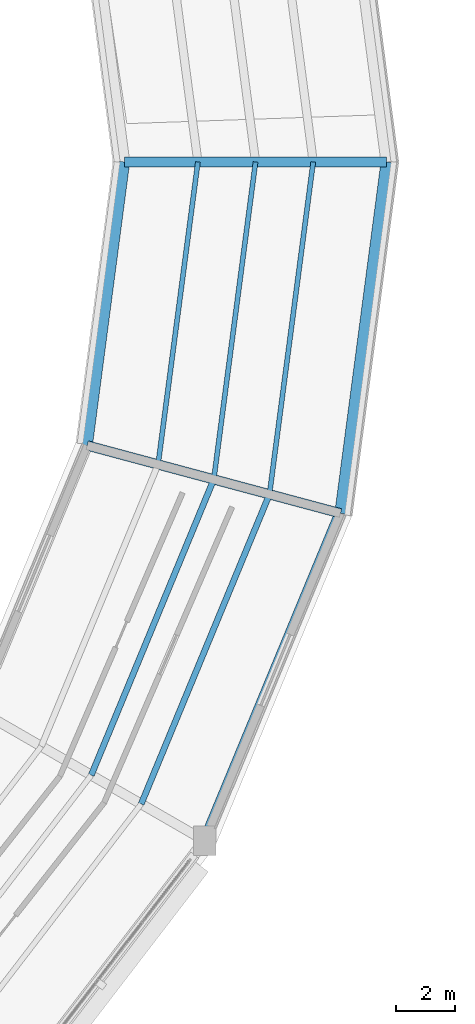
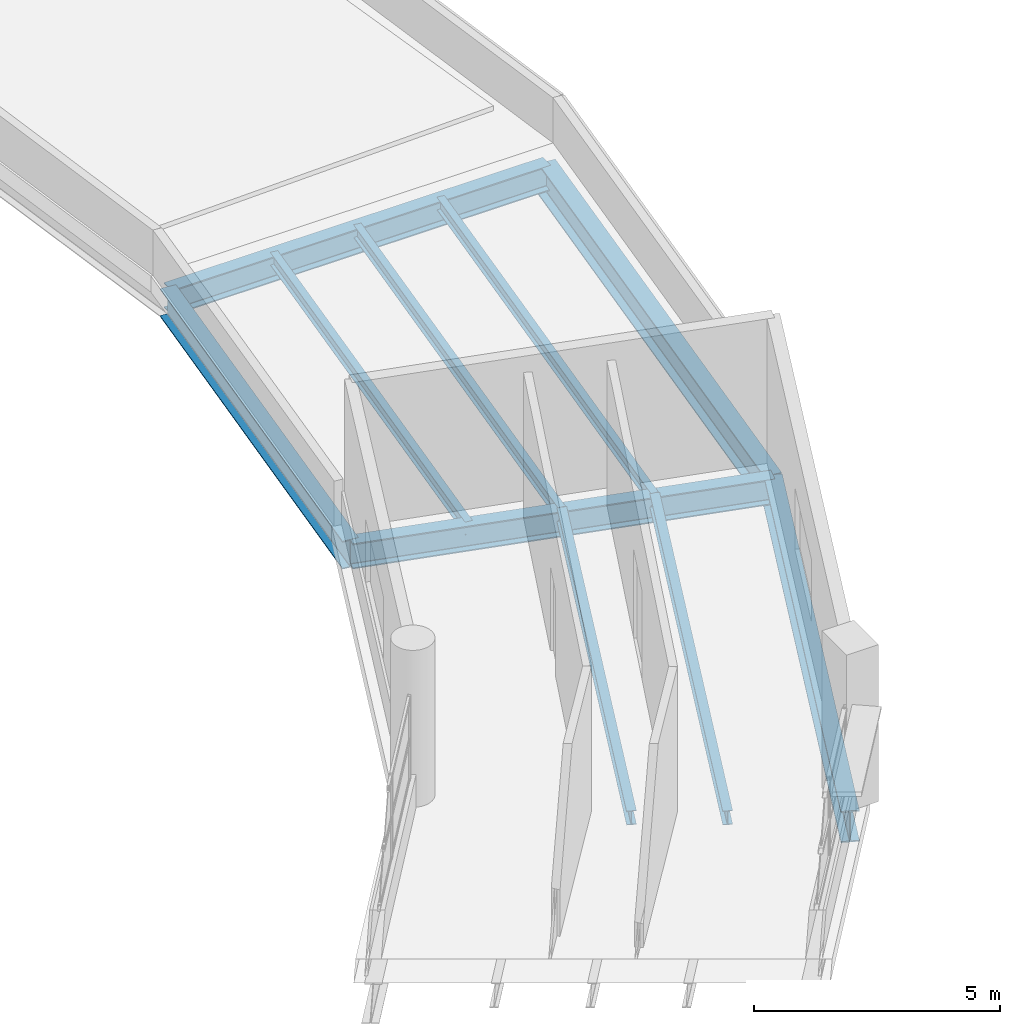
# One storey, part 54 of 108: 10 beams.
"""IFC4 building model written with IfcOpenShell, lengths in metres."""

from ifc_helpers import new_model, si_unit, direction, frame, origin, origin_2d, place, context, subcontext, project, spatial, i_section, extrude, material, material_profile, profile_set, type_object, element, save


model = new_model("IFC4")

# Units and contexts
model_context = context("Model", 3, precision=1e-05, world=origin(), true_north=direction((0.0, 1.0)))
body_context = subcontext(model_context, "Body", "Model", "MODEL_VIEW")
ifc_project = project(units=[si_unit("LENGTHUNIT", "METRE"), si_unit("AREAUNIT", "SQUARE_METRE"), si_unit("VOLUMEUNIT", "CUBIC_METRE"), si_unit("PLANEANGLEUNIT", "RADIAN"), si_unit("MASSUNIT", "GRAM", prefix="KILO")], contexts=[model_context])

# Site, building, storey
site_placement = place(None, origin())
site = spatial("IfcSite", under=ifc_project, at=site_placement, CompositionType="ELEMENT")
building_placement = place(site_placement, origin())
building = spatial("IfcBuilding", under=site, at=building_placement, Name="Vespera Passage Community Centre", CompositionType="ELEMENT")
storey_placement = place(building_placement, frame((0.0, 0.0, 12.60009765625)))
storey = spatial("IfcBuildingStorey", under=building, at=storey_placement, Name="L03", CompositionType="ELEMENT", Elevation=12.60009765625)

# Beams
ifc_material_1 = material(Name="Steel ASTM A992 Grade 50", Category="steel")
ifc_material_profile_1 = material_profile(ifc_material_1, i_section(OverallWidth=0.32763671875, OverallDepth=0.62841796875, WebThickness=0.0166015625, FlangeThickness=0.027587890625, FilletRadius=0.0126953125, at=origin_2d()), Name="W24X146")
ifc_profile_set_1 = profile_set([ifc_material_profile_1], Name="Steel ASTM A992 Grade 50")
beam_type_1 = type_object("IfcBeamType", Name="BM-G-W24X146", PredefinedType="BEAM", material=ifc_profile_set_1)
for number, where, z_axis, x_axis, name in (
    (1, (115.199951171875, 65.5, -0.71435546875), (1.0, 0.0, 0.0), (0.0, 1.0, 0.0), "V4 L03 Radial Girder 0"),
    (2, (113.932373046875, 55.871826171875, -0.71435546875), (0.9659278487, -0.258811497245, 0.0), (0.258811497245, 0.9659278487, 0.0), "V4 L03 Radial Girder 23"),
):
    element("IfcBeam", number, at=place(storey_placement, frame(where, z_axis=z_axis, x_axis=x_axis)), inside=storey, type_object=beam_type_1, Name=name, PredefinedType="BEAM", context=body_context, shape_type="SweptSolid", body=[
        extrude(i_section(OverallWidth=0.32763671875, OverallDepth=0.62841796875, WebThickness=0.0166015625, FlangeThickness=0.027587890625, FilletRadius=0.0126953125, at=origin_2d()), origin(), (0.0, 0.0, 1.0), 8.900146484375),
    ])
ifc_material_2 = material(Name="Steel ASTM A992 Grade 50", Category="steel")
ifc_material_profile_2 = material_profile(ifc_material_2, i_section(OverallWidth=0.16650390625, OverallDepth=0.3173828125, WebThickness=0.007568359375, FlangeThickness=0.01318359375, FilletRadius=0.007568359375, at=origin_2d()), Name="W12X35")
ifc_profile_set_2 = profile_set([ifc_material_profile_2], Name="Steel ASTM A992 Grade 50")
beam_type_2 = type_object("IfcBeamType", Name="BM-J-W12X35", PredefinedType="JOIST", material=ifc_profile_set_2)
beam_1_placement = place(storey_placement, frame((116.339599609375, 55.226806640625, -0.558837890625), z_axis=(0.130507537947, 0.991447317077, 0.0), x_axis=(-0.991447317077, 0.130507537947, 0.0)))
element("IfcBeam", 3, at=beam_1_placement, inside=storey, type_object=beam_type_2, Name="V4 L03 Floor Joist 23.1", PredefinedType="JOIST", context=body_context, shape_type="SweptSolid", body=[
    extrude(i_section(OverallWidth=0.16650390625, OverallDepth=0.3173828125, WebThickness=0.007568359375, FlangeThickness=0.01318359375, FilletRadius=0.007568359375, at=origin_2d()), origin(), (0.0, 0.0, 1.0), 10.36181640625),
])
beam_2_placement = place(storey_placement, frame((118.230712890625, 54.72021484375, -0.558837890625), z_axis=(0.130526537014, 0.991444815981, 0.0), x_axis=(-0.991444815981, 0.130526537014, 0.0)))
element("IfcBeam", 4, at=beam_2_placement, inside=storey, type_object=beam_type_2, Name="V4 L03 Floor Joist 23.2", PredefinedType="JOIST", context=body_context, shape_type="SweptSolid", body=[
    extrude(i_section(OverallWidth=0.16650390625, OverallDepth=0.3173828125, WebThickness=0.007568359375, FlangeThickness=0.01318359375, FilletRadius=0.007568359375, at=origin_2d()), origin(), (0.0, 0.0, 1.0), 10.872802734375),
])
beam_3_placement = place(storey_placement, frame((120.1220703125, 54.21337890625, -0.558837890625), z_axis=(0.130519974222, 0.991445679969, 0.0), x_axis=(-0.991445679969, 0.130519974222, 0.0)))
element("IfcBeam", 5, at=beam_3_placement, inside=storey, type_object=beam_type_2, Name="V4 L03 Floor Joist 23.3", PredefinedType="JOIST", context=body_context, shape_type="SweptSolid", body=[
    extrude(i_section(OverallWidth=0.16650390625, OverallDepth=0.3173828125, WebThickness=0.007568359375, FlangeThickness=0.01318359375, FilletRadius=0.007568359375, at=origin_2d()), origin(), (0.0, 0.0, 1.0), 11.384033203125),
])
ifc_material_3 = material(Name="Steel ASTM A992 Grade 50", Category="steel")
ifc_material_profile_3 = material_profile(ifc_material_3, i_section(OverallWidth=0.2041015625, OverallDepth=0.3505859375, WebThickness=0.008544921875, FlangeThickness=0.01513671875, FilletRadius=0.01513671875, at=origin_2d()), Name="W14X48")
ifc_profile_set_3 = profile_set([ifc_material_profile_3], Name="Steel ASTM A992 Grade 50")
beam_type_3 = type_object("IfcBeamType", Name="BM-J-W14X48", PredefinedType="JOIST", material=ifc_profile_set_3)
beam_4_placement = place(storey_placement, frame((114.070068359375, 44.675048828125, -0.575439453125), z_axis=(0.382667773212, 0.923886018589, 0.0), x_axis=(-0.923886018589, 0.382667773212, 0.0)))
element("IfcBeam", 6, at=beam_4_placement, inside=storey, type_object=beam_type_3, Name="V4 L03 Floor Joist 22.2", PredefinedType="JOIST", context=body_context, shape_type="SweptSolid", body=[
    extrude(i_section(OverallWidth=0.2041015625, OverallDepth=0.3505859375, WebThickness=0.008544921875, FlangeThickness=0.01513671875, FilletRadius=0.01513671875, at=origin_2d()), origin(), (0.0, 0.0, 1.0), 10.872802734375),
])
beam_5_placement = place(storey_placement, frame((115.765625, 43.696044921875, -0.575439453125), z_axis=(0.382685152097, 0.923878820173, 0.0), x_axis=(-0.923878820173, 0.382685152097, 0.0)))
element("IfcBeam", 7, at=beam_5_placement, inside=storey, type_object=beam_type_3, Name="V4 L03 Floor Joist 22.3", PredefinedType="JOIST", context=body_context, shape_type="SweptSolid", body=[
    extrude(i_section(OverallWidth=0.2041015625, OverallDepth=0.3505859375, WebThickness=0.008544921875, FlangeThickness=0.01513671875, FilletRadius=0.01513671875, at=origin_2d()), origin(), (0.0, 0.0, 1.0), 11.3837890625),
])
ifc_material_4 = material(Name="Steel ASTM A992 Grade 50", Category="steel")
ifc_material_profile_4 = material_profile(ifc_material_4, i_section(OverallWidth=0.3544921875, OverallDepth=0.695556640625, WebThickness=0.015380859375, FlangeThickness=0.024658203125, FilletRadius=0.01513671875, at=origin_2d()), Name="W27X146")
ifc_profile_set_4 = profile_set([ifc_material_profile_4], Name="Steel ASTM A992 Grade 50")
beam_type_4 = type_object("IfcBeamType", Name="BM-SP-W27X146E", PredefinedType="SPANDREL", material=ifc_profile_set_4)
beam_6_placement = place(storey_placement, frame((113.932373046875, 55.871826171875, -0.747802734375), z_axis=(0.130526697639, 0.991444794834, 0.0), x_axis=(-0.991444794834, 0.130526697639, 0.0)))
element("IfcBeam", 8, at=beam_6_placement, inside=storey, type_object=beam_type_4, Name="V4 L03 Inner Spandrel 23", PredefinedType="SPANDREL", context=body_context, shape_type="SweptSolid", body=[
    extrude(i_section(OverallWidth=0.3544921875, OverallDepth=0.695556640625, WebThickness=0.015380859375, FlangeThickness=0.024658203125, FilletRadius=0.01513671875, at=origin_2d()), origin(), (0.0, 0.0, 1.0), 9.711181640625),
])
ifc_material_5 = material(Name="Steel ASTM A992 Grade 50", Category="steel")
ifc_material_profile_5 = material_profile(ifc_material_5, i_section(OverallWidth=0.382080078125, OverallDepth=0.779296875, WebThickness=0.01806640625, FlangeThickness=0.030029296875, FilletRadius=0.0166015625, at=origin_2d()), Name="W30X191")
ifc_profile_set_5 = profile_set([ifc_material_profile_5], Name="Steel ASTM A992 Grade 50")
beam_type_5 = type_object("IfcBeamType", Name="BM-SP-W30X191E", PredefinedType="SPANDREL", material=ifc_profile_set_5)
beam_7_placement = place(storey_placement, frame((117.923828125, 42.449951171875, -0.789794921875), z_axis=(0.382688629799, 0.923877379647, 0.0), x_axis=(-0.923877379647, 0.382688629799, 0.0)))
element("IfcBeam", 9, at=beam_7_placement, inside=storey, type_object=beam_type_5, Name="V4 L03 Outer Spandrel 22", PredefinedType="SPANDREL", context=body_context, shape_type="SweptSolid", body=[
    extrude(i_section(OverallWidth=0.382080078125, OverallDepth=0.779296875, WebThickness=0.01806640625, FlangeThickness=0.030029296875, FilletRadius=0.0166015625, at=origin_2d()), origin(), (0.0, 0.0, 1.0), 12.034423828125),
])
beam_8_placement = place(storey_placement, frame((122.529296875, 53.568359375, -0.789794921875), z_axis=(0.130523782115, 0.991445178667, 0.0), x_axis=(-0.991445178667, 0.130523782115, 0.0)))
element("IfcBeam", 10, at=beam_8_placement, inside=storey, type_object=beam_type_5, Name="V4 L03 Outer Spandrel 23", PredefinedType="SPANDREL", context=body_context, shape_type="SweptSolid", body=[
    extrude(i_section(OverallWidth=0.382080078125, OverallDepth=0.779296875, WebThickness=0.01806640625, FlangeThickness=0.030029296875, FilletRadius=0.0166015625, at=origin_2d()), origin(), (0.0, 0.0, 1.0), 12.03466796875),
])

save(model, "model.ifc")
